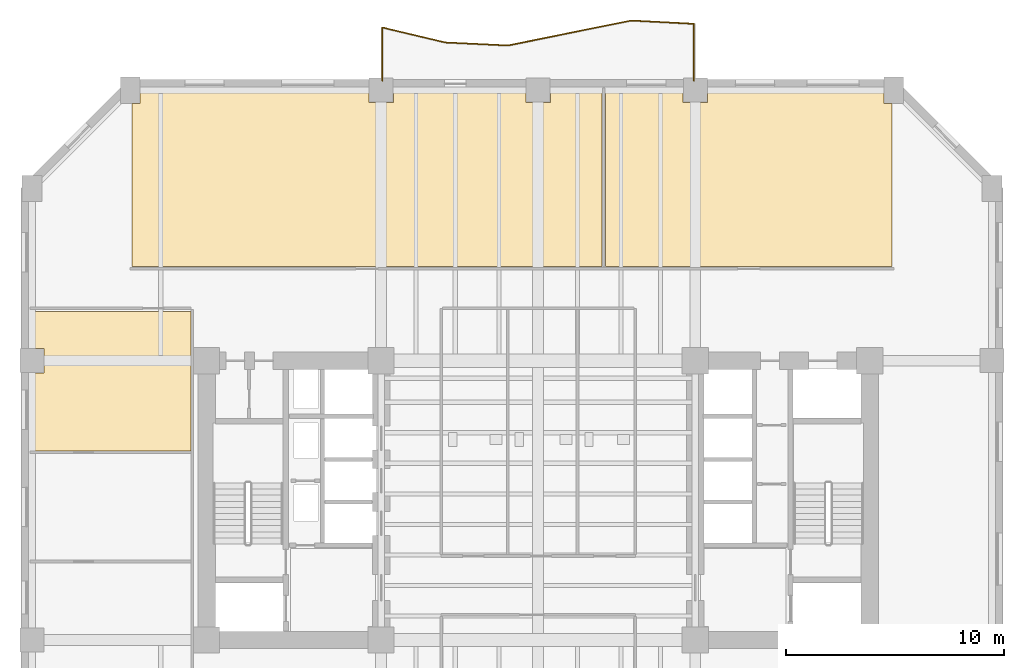
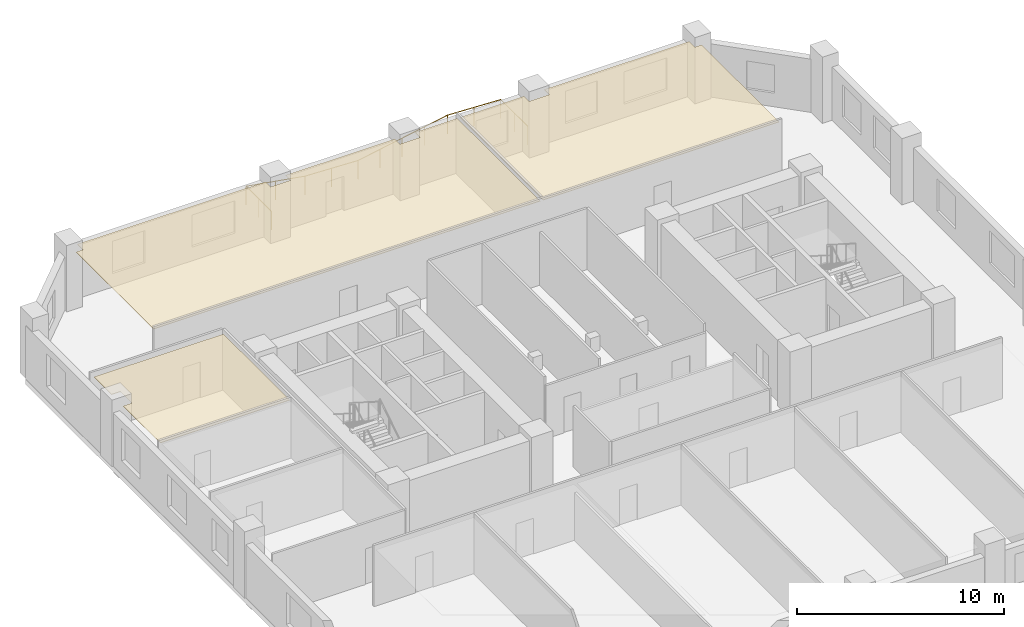
# One storey, part 9 of 10: 3 coverings, 1 railing.
"""IFC4 building model written with IfcOpenShell, lengths in metres."""

from ifc_helpers import new_model, si_unit, direction, frame, origin, origin_2d, place, context, subcontext, project, spatial, polyline, circle, outline, extrude, material, layer, layer_set, type_object, element, save


model = new_model("IFC4")

# Units and contexts
model_context = context("Model", 3, precision=1e-05, world=origin(), true_north=direction((0.0, 1.0)))
body_context = subcontext(model_context, "Body", "Model", "MODEL_VIEW")
ifc_project = project(units=[si_unit("LENGTHUNIT", "METRE"), si_unit("AREAUNIT", "SQUARE_METRE"), si_unit("VOLUMEUNIT", "CUBIC_METRE"), si_unit("PLANEANGLEUNIT", "RADIAN"), si_unit("MASSUNIT", "GRAM", prefix="KILO")], contexts=[model_context])

# Site, building, storey
site_placement = place(None, origin())
site = spatial("IfcSite", under=ifc_project, at=site_placement, CompositionType="ELEMENT")
building_placement = place(site_placement, origin())
building = spatial("IfcBuilding", under=site, at=building_placement, Name="Kranthara Brick Stack", CompositionType="ELEMENT")
storey_placement = place(building_placement, frame((0.0, 0.0, 36.0)))
storey = spatial("IfcBuildingStorey", under=building, at=storey_placement, Name="L08", CompositionType="ELEMENT", Elevation=36.0)

# Coverings
ifc_material_1 = material(Name="Perforated mineral-fibre acoustic ceiling tile", Category="other")
ifc_layer = layer(ifc_material_1, 0.02490234375)
ifc_layer_set = layer_set([ifc_layer], Name="Perforated mineral-fibre acoustic ceiling tile")
covering_type = type_object("IfcCoveringType", Name="COV-CEIL-ACOUSTIC", PredefinedType="CEILING", material=ifc_layer_set)
covering_1_placement = place(storey_placement, frame((0.0, 0.0, 3.330078125)))
element("IfcCovering", 1, at=covering_1_placement, inside=storey, type_object=covering_type, Name="L08 L08 Open Plan Workspace 1 Acoustic Ceiling", PredefinedType="CEILING", context=body_context, shape_type="SweptSolid", body=[
    extrude(outline(polyline([(9.3798828125, 37.919921875), (9.3798828125, 45.389892578125), (9.760009765625, 45.389892578125), (9.760009765625, 45.929931640625), (20.239990234375, 45.929931640625), (20.239990234375, 45.43994140625), (21.360107421875, 45.43994140625), (21.360107421875, 45.929931640625), (27.43994140625, 45.929931640625), (27.43994140625, 45.43994140625), (28.56005859375, 45.43994140625), (28.56005859375, 45.929931640625), (30.919921875, 45.929931640625), (30.919921875, 37.919921875), (9.3798828125, 37.919921875)])), origin(), (0.0, 0.0, 1.0), 0.02490234375),
])
covering_2_placement = place(storey_placement, frame((0.0, 0.0, 3.330078125)))
element("IfcCovering", 2, at=covering_2_placement, inside=storey, type_object=covering_type, Name="L08 L08 Staff Pantry 2 Acoustic Ceiling", PredefinedType="CEILING", context=body_context, shape_type="SweptSolid", body=[
    extrude(outline(polyline([(44.219970703125, 37.919921875), (31.080078125, 37.919921875), (31.080078125, 45.929931640625), (34.639892578125, 45.929931640625), (34.639892578125, 45.43994140625), (35.760009765625, 45.43994140625), (35.760009765625, 45.929931640625), (43.840087890625, 45.929931640625), (43.840087890625, 45.389892578125), (44.219970703125, 45.389892578125), (44.219970703125, 37.919921875)])), origin(), (0.0, 0.0, 1.0), 0.02490234375),
])
covering_3_placement = place(storey_placement, frame((0.0, 0.0, 3.330078125)))
element("IfcCovering", 3, at=covering_3_placement, inside=storey, type_object=covering_type, Name="L08 L08 West Executive Office 3 Acoustic Ceiling", PredefinedType="CEILING", context=body_context, shape_type="SweptSolid", body=[
    extrude(outline(polyline([(4.8701171875, 35.860107421875), (12.080078125, 35.860107421875), (12.080078125, 29.4599609375), (4.8701171875, 29.4599609375), (4.8701171875, 33.0400390625), (5.360107421875, 33.0400390625), (5.360107421875, 34.159912109375), (4.8701171875, 34.159912109375), (4.8701171875, 35.860107421875)])), origin(), (0.0, 0.0, 1.0), 0.02490234375),
])

# Railing
ifc_material_2 = material(Name="Bronze anodised aluminium and laminated glass balustrade", Category="aluminium")
railing_type = type_object("IfcRailingType", Name="RL-BALC-1120", PredefinedType="BALUSTRADE", material=ifc_material_2)
railing_placement = place(storey_placement, frame((20.860107421875, 46.43994140625, 0.0)))
element("IfcRailing", 4, at=railing_placement, inside=storey, type_object=railing_type, Name="L08 North Rippling Balcony Balustrade", PredefinedType="BALUSTRADE", context=body_context, shape_type="SweptSolid", body=[
    extrude(circle(Radius=0.02392578125, at=origin_2d()), frame((0.0, 0.0, 1.09619140625), z_axis=(-0.000200682316, 0.999999979863, 0.0), x_axis=(-0.999999979863, -0.000200682316, 0.0)), (0.0, 0.0, 1.0), 2.43310546875),
    extrude(circle(Radius=0.02392578125, at=origin_2d()), frame((-0.00048828125, 2.43310546875, 1.09619140625), z_axis=(0.972881369754, -0.231304648429, 0.0), x_axis=(0.231304648429, 0.972881369754, 0.0)), (0.0, 0.0, 1.0), 2.960693359375),
    extrude(circle(Radius=0.02392578125, at=origin_2d()), frame((2.8798828125, 1.748291015625, 1.09619140625), z_axis=(0.998858923282, -0.047758259811, 0.0), x_axis=(0.047758259811, 0.998858923282, 0.0)), (0.0, 0.0, 1.0), 2.883056640625),
    extrude(circle(Radius=0.02392578125, at=origin_2d()), frame((5.759765625, 1.610595703125, 1.09619140625), z_axis=(0.979973330749, 0.199128779991, 0.0), x_axis=(-0.199128779991, 0.979973330749, 0.0)), (0.0, 0.0, 1.0), 2.81982421875),
    extrude(circle(Radius=0.02392578125, at=origin_2d()), frame((8.523193359375, 2.172119140625, 1.09619140625), z_axis=(0.980211220791, 0.197954445861, 0.0), x_axis=(-0.197954445861, 0.980211220791, 0.0)), (0.0, 0.0, 1.0), 2.9365234375),
    extrude(circle(Radius=0.02392578125, at=origin_2d()), frame((11.401611328125, 2.75341796875, 1.09619140625), z_axis=(0.998642518449, -0.052087621817, 0.0), x_axis=(0.052087621817, 0.998642518449, 0.0)), (0.0, 0.0, 1.0), 2.882568359375),
    extrude(circle(Radius=0.02392578125, at=origin_2d()), frame((14.2802734375, 2.603271484375, 1.09619140625), z_axis=(-0.000187564472, -0.99999998241, 0.0), x_axis=(0.99999998241, -0.000187564472, 0.0)), (0.0, 0.0, 1.0), 2.603271484375),
    extrude(circle(Radius=0.02099609375, at=origin_2d()), origin(), (0.0, 0.0, 1.0), 1.072021484375),
    extrude(circle(Radius=0.02099609375, at=origin_2d()), frame((-0.000244140625, 1.216552734375, 0.0)), (0.0, 0.0, 1.0), 1.072021484375),
    extrude(circle(Radius=0.02099609375, at=origin_2d()), frame((-0.00048828125, 2.43310546875, 0.0)), (0.0, 0.0, 1.0), 1.072021484375),
    extrude(circle(Radius=0.02099609375, at=origin_2d()), frame((1.439697265625, 2.0908203125, 0.0)), (0.0, 0.0, 1.0), 1.072021484375),
    extrude(circle(Radius=0.02099609375, at=origin_2d()), frame((2.8798828125, 1.748291015625, 0.0)), (0.0, 0.0, 1.0), 1.072021484375),
    extrude(circle(Radius=0.02099609375, at=origin_2d()), frame((4.31982421875, 1.679443359375, 0.0)), (0.0, 0.0, 1.0), 1.072021484375),
    extrude(circle(Radius=0.02099609375, at=origin_2d()), frame((5.759765625, 1.610595703125, 0.0)), (0.0, 0.0, 1.0), 1.072021484375),
    extrude(circle(Radius=0.02099609375, at=origin_2d()), frame((7.1416015625, 1.891357421875, 0.0)), (0.0, 0.0, 1.0), 1.072021484375),
    extrude(circle(Radius=0.02099609375, at=origin_2d()), frame((8.523193359375, 2.172119140625, 0.0)), (0.0, 0.0, 1.0), 1.072021484375),
    extrude(circle(Radius=0.02099609375, at=origin_2d()), frame((9.96240234375, 2.462890625, 0.0)), (0.0, 0.0, 1.0), 1.072021484375),
    extrude(circle(Radius=0.02099609375, at=origin_2d()), frame((11.401611328125, 2.75341796875, 0.0)), (0.0, 0.0, 1.0), 1.072021484375),
    extrude(circle(Radius=0.02099609375, at=origin_2d()), frame((12.8408203125, 2.67822265625, 0.0)), (0.0, 0.0, 1.0), 1.072021484375),
    extrude(circle(Radius=0.02099609375, at=origin_2d()), frame((14.2802734375, 2.603271484375, 0.0)), (0.0, 0.0, 1.0), 1.072021484375),
    extrude(circle(Radius=0.02099609375, at=origin_2d()), frame((14.280029296875, 1.3017578125, 0.0)), (0.0, 0.0, 1.0), 1.072021484375),
    extrude(circle(Radius=0.02099609375, at=origin_2d()), frame((14.27978515625, 0.0, 0.0)), (0.0, 0.0, 1.0), 1.072021484375),
])

save(model, "model.ifc")
